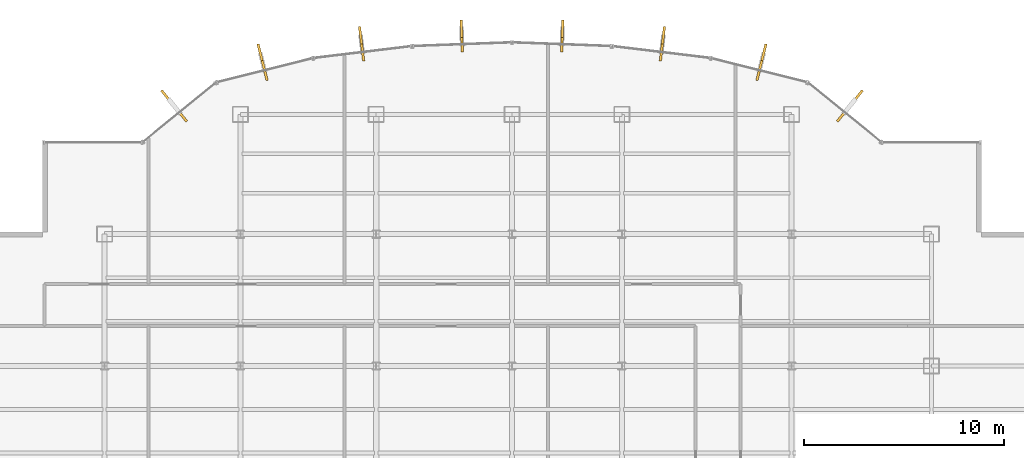
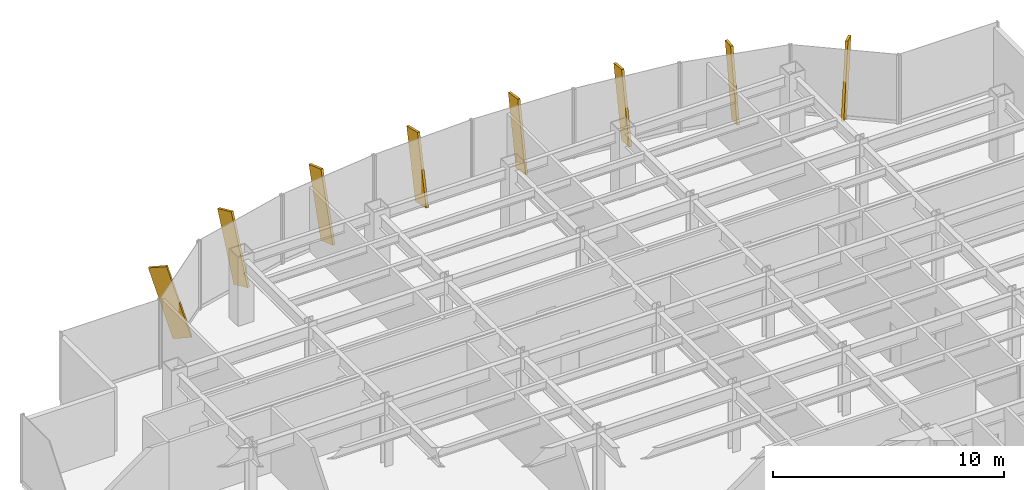
# One storey, part 25 of 26: 8 shading devices.
"""IFC4 building model written with IfcOpenShell, lengths in metres."""

from ifc_helpers import new_model, si_unit, derived_unit, direction, frame, origin, origin_2d, place, context, subcontext, project, spatial, rectangle, extrude, source, transform, mapped, material, type_object, element, save


model = new_model("IFC4")

# Units and contexts
model_context = context("Model", 3, precision=1e-05, world=origin(), true_north=direction((0.0, 1.0)))
body_context = subcontext(model_context, "Body", "Model", "MODEL_VIEW")
ifc_project = project(units=[si_unit("LENGTHUNIT", "METRE"), si_unit("AREAUNIT", "SQUARE_METRE"), si_unit("VOLUMEUNIT", "CUBIC_METRE"), si_unit("PLANEANGLEUNIT", "RADIAN"), si_unit("MASSUNIT", "GRAM", prefix="KILO"), derived_unit("THERMALTRANSMITTANCEUNIT", [(si_unit("POWERUNIT", "WATT"), 1), (si_unit("LENGTHUNIT", "METRE"), -2), (si_unit("THERMODYNAMICTEMPERATUREUNIT", "KELVIN"), -1)])], contexts=[model_context])

# Site, building, storey
site_placement = place(None, origin())
site = spatial("IfcSite", under=ifc_project, at=site_placement, CompositionType="ELEMENT")
building_placement = place(site_placement, origin())
building = spatial("IfcBuilding", under=site, at=building_placement, Name="Skarnbrae Concourse Arena and Tower", CompositionType="ELEMENT")
storey_placement = place(building_placement, frame((0.0, 0.0, 121.5)))
storey = spatial("IfcBuildingStorey", under=building, at=storey_placement, Name="L30", CompositionType="ELEMENT", Elevation=121.5)

# Shading devices
ifc_material = material(Name="Bronze anodised aluminium 6063-T6", Category="aluminium")
shading_device_type = type_object("IfcShadingDeviceType", Name="SHD-BRONZE-FIN-900", PredefinedType="USERDEFINED", material=ifc_material)
shared_shape = source(origin(), body_context, "Body", "SweptSolid", [
    extrude(rectangle(XDim=0.1201171875, YDim=0.89990234375, at=origin_2d()), origin(), (0.0, 0.0, 1.0), 3.64990234375),
])
for number, where, z_axis, x_axis, name in (
    (1, (44.55859375, 40.37841796875, 0.092529296875), (0.198264255826, 0.24412076913, 0.949260941439), (0.776244501415, -0.630431974144, 0.0), "L30 Outward-leaning bronze shading fin 08"),
    (2, (40.3662109375, 42.518310546875, 0.072265625), (0.067892551055, 0.270431405469, 0.960342364184), (0.969901771235, -0.243496517748, 0.0), "L30 Outward-leaning bronze shading fin 09"),
    (3, (35.47998046875, 43.5, 0.05224609375), (0.02855092597, 0.235794115114, 0.971383539033), (0.992748952377, -0.120206146079, 0.0), "L30 Outward-leaning bronze shading fin 10"),
    (4, (30.501953125, 43.970947265625, 0.03515625), (0.007254315011, 0.194955401716, 0.980785280403), (0.999308421355, -0.037184392011, 0.0), "L30 Outward-leaning bronze shading fin 11"),
    (5, (25.498046875, 43.970947265625, 0.03515625), (-0.007254315011, 0.194955401716, 0.980785280403), (0.999308421355, 0.037184392011, 0.0), "L30 Outward-leaning bronze shading fin 12"),
    (6, (20.52001953125, 43.5, 0.05224609375), (-0.02855092597, 0.235794115114, 0.971383539033), (0.992748952377, 0.120206146079, 0.0), "L30 Outward-leaning bronze shading fin 13"),
    (7, (15.6337890625, 42.518310546875, 0.072265625), (-0.067892551055, 0.270431405469, 0.960342364184), (0.969901771235, 0.243496517748, 0.0), "L30 Outward-leaning bronze shading fin 14"),
    (8, (11.44140625, 40.37841796875, 0.092529296875), (-0.198264255826, 0.24412076913, 0.949260941439), (0.776244501415, 0.630431974144, 0.0), "L30 Outward-leaning bronze shading fin 15"),
):
    element("IfcShadingDevice", number, at=place(storey_placement, frame(where, z_axis=z_axis, x_axis=x_axis)), inside=storey, type_object=shading_device_type, Name=name, ObjectType="FIN", PredefinedType="USERDEFINED", context=body_context, shape_type="MappedRepresentation", body=[
        mapped(shared_shape, transform((0.0, 0.0, 0.0))),
    ])

save(model, "model.ifc")
